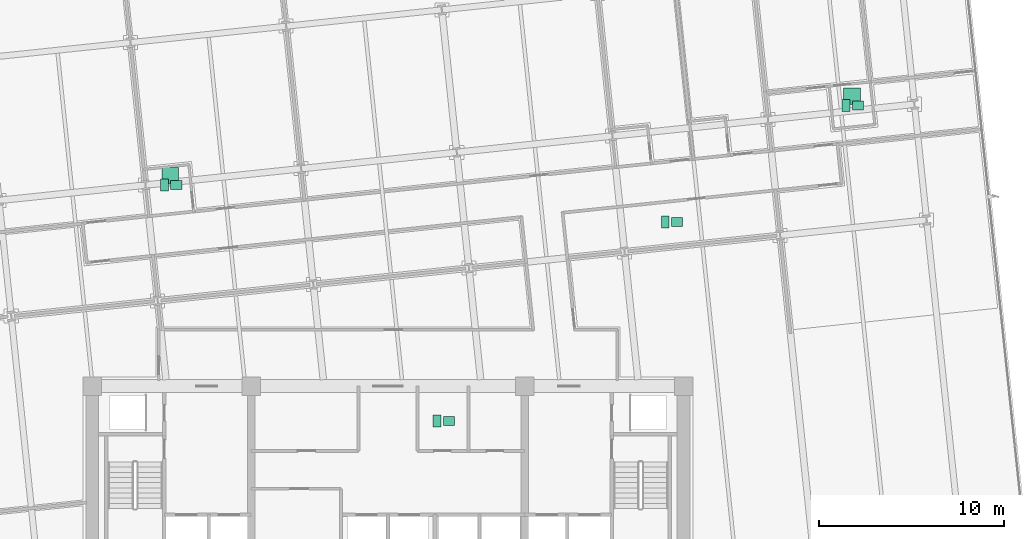
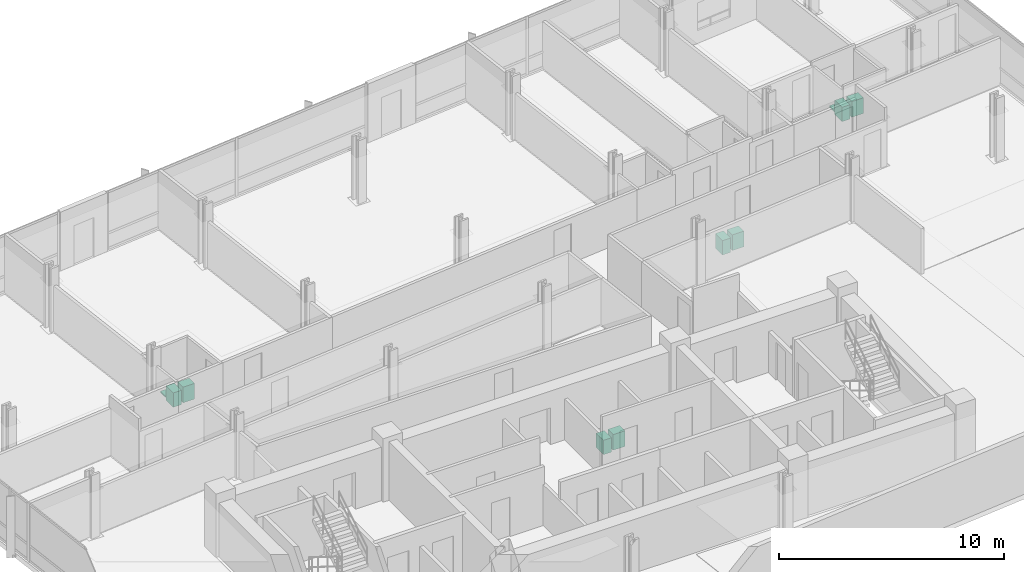
# One storey, part 21 of 21: 10 sanitary terminals.
"""IFC4 building model written with IfcOpenShell, lengths in metres."""

from ifc_helpers import new_model, si_unit, direction, frame, origin, origin_2d, place, context, subcontext, project, spatial, rectangle, extrude, material, type_object, element, save


model = new_model("IFC4")

# Units and contexts
model_context = context("Model", 3, precision=1e-05, world=origin(), true_north=direction((0.0, 1.0)))
body_context = subcontext(model_context, "Body", "Model", "MODEL_VIEW")
ifc_project = project(units=[si_unit("LENGTHUNIT", "METRE"), si_unit("AREAUNIT", "SQUARE_METRE"), si_unit("VOLUMEUNIT", "CUBIC_METRE"), si_unit("PLANEANGLEUNIT", "RADIAN"), si_unit("MASSUNIT", "GRAM", prefix="KILO")], contexts=[model_context])

# Site, building, storey
site_placement = place(None, origin())
site = spatial("IfcSite", under=ifc_project, at=site_placement, CompositionType="ELEMENT")
building_placement = place(site_placement, origin())
building = spatial("IfcBuilding", under=site, at=building_placement, Name="Solmavex Isthmus Hotel", CompositionType="ELEMENT")
storey_placement = place(building_placement, frame((0.0, 0.0, 113.25)))
storey = spatial("IfcBuildingStorey", under=building, at=storey_placement, Name="L30", CompositionType="ELEMENT", Elevation=113.25)

# Sanitary terminals
ifc_material = material(Name="Vitreous china ceramic", Category="ceramic")
sanitary_terminal_type_1 = type_object("IfcSanitaryTerminalType", Name="SAN-BASIN", PredefinedType="WASHHANDBASIN", material=ifc_material)
for number, where, z_axis, x_axis, name in (
    (1, (3.294921875, -4.385009765625, 0.0), (0.0, 0.0, 1.0), (1.0, 0.0, 0.0), "Vanity Washbasin L30-137"),
    (2, (-11.452880859375, 8.382080078125, 0.0), (0.0, 0.0, 1.0), (1.0, 0.0, 0.0), "Vanity Washbasin L30-138"),
    (3, (25.4248046875, 12.69189453125, 0.0), (0.0, 0.0, 1.0), (1.0, 0.0, 0.0), "Vanity Washbasin L30-139"),
    (4, (15.6416015625, 6.38818359375, 0.0), (0.0, 0.0, 1.0), (1.0, 0.0, 0.0), "Vanity Washbasin L30-140"),
):
    element("IfcSanitaryTerminal", number, at=place(storey_placement, frame(where, z_axis=z_axis, x_axis=x_axis)), inside=storey, type_object=sanitary_terminal_type_1, Name=name, PredefinedType="WASHHANDBASIN", context=body_context, shape_type="SweptSolid", body=[
        extrude(rectangle(XDim=0.60009765625, YDim=0.47998046875, at=origin_2d()), origin(), (0.0, 0.0, 1.0), 0.85009765625),
    ])
sanitary_terminal_type_2 = type_object("IfcSanitaryTerminalType", Name="SAN-SHOWER", PredefinedType="SHOWER", material=ifc_material)
for number, where, z_axis, x_axis, name in (
    (5, (-11.77294921875, 8.882080078125, 0.0), (0.0, 0.0, 1.0), (1.0, 0.0, 0.0), "Walk-In Shower L30-138"),
    (6, (25.104736328125, 13.19189453125, 0.0), (0.0, 0.0, 1.0), (1.0, 0.0, 0.0), "Walk-In Shower L30-139"),
):
    element("IfcSanitaryTerminal", number, at=place(storey_placement, frame(where, z_axis=z_axis, x_axis=x_axis)), inside=storey, type_object=sanitary_terminal_type_2, Name=name, PredefinedType="SHOWER", context=body_context, shape_type="SweptSolid", body=[
        extrude(rectangle(XDim=0.89990234375, YDim=0.89990234375, at=origin_2d()), origin(), (0.0, 0.0, 1.0), 0.080078125),
    ])
sanitary_terminal_type_3 = type_object("IfcSanitaryTerminalType", Name="SAN-WC-SUITE", PredefinedType="TOILETPAN", material=ifc_material)
for number, where, z_axis, x_axis, name in (
    (7, (2.655029296875, -4.385009765625, 0.0), (0.0, 0.0, 1.0), (1.0, 0.0, 0.0), "Water Closet L30-137"),
    (8, (-12.093017578125, 8.382080078125, 0.0), (0.0, 0.0, 1.0), (1.0, 0.0, 0.0), "Water Closet L30-138"),
    (9, (24.784912109375, 12.69189453125, 0.0), (0.0, 0.0, 1.0), (1.0, 0.0, 0.0), "Water Closet L30-139"),
    (10, (15.001708984375, 6.38818359375, 0.0), (0.0, 0.0, 1.0), (1.0, 0.0, 0.0), "Water Closet L30-140"),
):
    element("IfcSanitaryTerminal", number, at=place(storey_placement, frame(where, z_axis=z_axis, x_axis=x_axis)), inside=storey, type_object=sanitary_terminal_type_3, Name=name, PredefinedType="TOILETPAN", context=body_context, shape_type="SweptSolid", body=[
        extrude(rectangle(XDim=0.419921875, YDim=0.64990234375, at=origin_2d()), origin(), (0.0, 0.0, 1.0), 0.780029296875),
    ])

save(model, "model.ifc")
